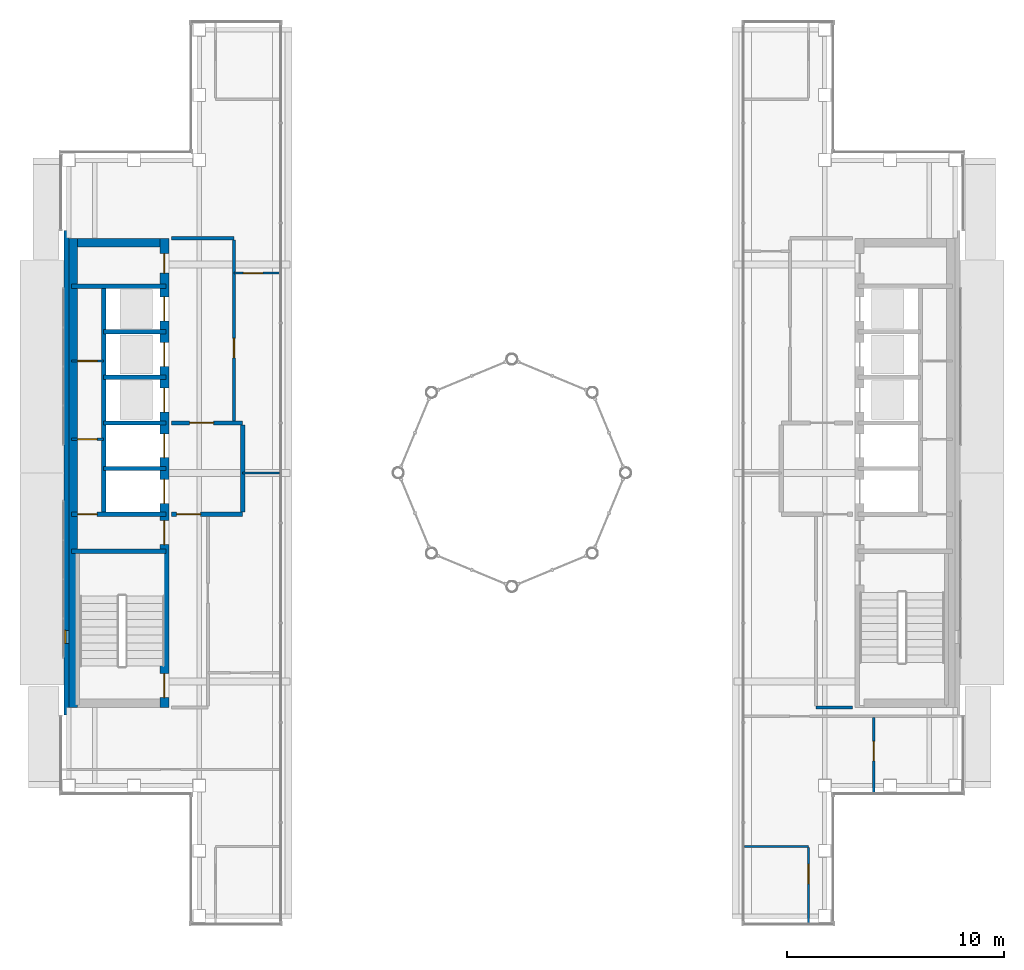
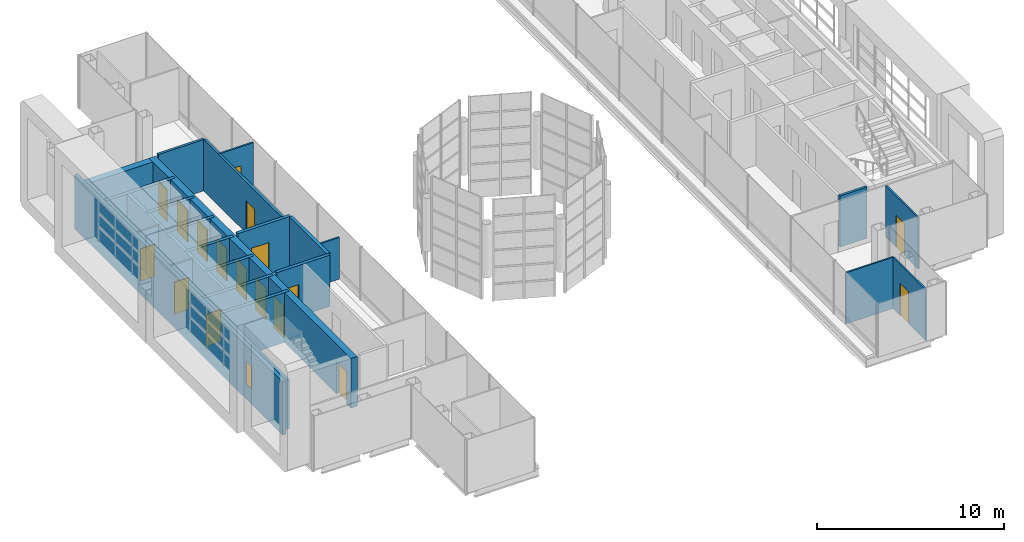
# One storey, part 13 of 21: 25 walls, 17 doors, 1 window, 18 openings.
"""IFC4 building model written with IfcOpenShell, lengths in metres."""

from ifc_helpers import new_model, si_unit, direction, frame, frame_2d, origin, place, context, subcontext, project, spatial, rectangle, extrude, material, layer, layer_set, type_object, element, fill, save


model = new_model("IFC4")

# Units and contexts
model_context = context("Model", 3, precision=1e-05, world=origin(), true_north=direction((0.0, 1.0)))
body_context = subcontext(model_context, "Body", "Model", "MODEL_VIEW")
ifc_project = project(units=[si_unit("LENGTHUNIT", "METRE"), si_unit("AREAUNIT", "SQUARE_METRE"), si_unit("VOLUMEUNIT", "CUBIC_METRE"), si_unit("PLANEANGLEUNIT", "RADIAN"), si_unit("MASSUNIT", "GRAM", prefix="KILO")], contexts=[model_context])

# Site, building, storey
site_placement = place(None, origin())
site = spatial("IfcSite", under=ifc_project, at=site_placement, CompositionType="ELEMENT")
building_placement = place(site_placement, origin())
building = spatial("IfcBuilding", under=site, at=building_placement, Name="Cobrizo Arcos Hotel Tower", CompositionType="ELEMENT")
storey_placement = place(building_placement, frame((0.0, 0.0, 283.0)))
storey = spatial("IfcBuildingStorey", under=building, at=storey_placement, Name="L75", CompositionType="ELEMENT", Elevation=283.0)

# Walls
ifc_material_1 = material(Name="Gypsum board partition")
ifc_layer_1 = layer(ifc_material_1, 0.14990234375)
ifc_layer_set_1 = layer_set([ifc_layer_1], Name="Corridor wall EI 60 150")
wall_type_1 = type_object("IfcWallType", Name="Corridor wall EI 60 150", PredefinedType="PARTITIONING", material=ifc_layer_set_1)
wall_1_placement = place(storey_placement, frame((14.0, -10.800048828125, 0.0), z_axis=(0.0, 0.0, 1.0), x_axis=(1.0, 0.0, 0.0)))
element("IfcWall", 1, at=wall_1_placement, inside=storey, type_object=wall_type_1, Name="Partition 006", PredefinedType="PARTITIONING", context=body_context, shape_type="SweptSolid", body=[
    extrude(rectangle(XDim=1.679931640625, YDim=0.14990234375, at=frame_2d((0.83984375, 0.0))), origin(), (0.0, 0.0, 1.0), 3.35009765625),
])
wall_2_placement = place(storey_placement, frame((-15.679931640625, 10.800048828125, 0.0), z_axis=(0.0, 0.0, 1.0), x_axis=(1.0, 0.0, 0.0)))
element("IfcWall", 2, at=wall_2_placement, inside=storey, type_object=wall_type_1, Name="Partition 034", PredefinedType="PARTITIONING", context=body_context, shape_type="SweptSolid", body=[
    extrude(rectangle(XDim=2.8798828125, YDim=0.14990234375, at=frame_2d((1.43994140625, 0.0))), origin(), (0.0, 0.0, 1.0), 3.35009765625),
])

# Wall, opening, door
wall_3_placement = place(storey_placement, frame((-12.800048828125, 2.39990234375, 0.0), z_axis=(0.0, 0.0, 1.0), x_axis=(0.0, 1.0, 0.0)))
wall_3 = element("IfcWall", 3, at=wall_3_placement, inside=storey, type_object=wall_type_1, Name="Partition 043", PredefinedType="PARTITIONING", context=body_context, shape_type="SweptSolid", body=[
    extrude(rectangle(XDim=8.3251953125, YDim=0.14990234375, at=frame_2d((4.16259765625, 0.0))), origin(), (0.0, 0.0, 1.0), 3.35009765625),
])
opening_1_placement = place(wall_3_placement, frame((2.889892578125, 0.0, 0.0)))
opening_1 = element("IfcOpeningElement", 4, at=opening_1_placement, cuts=wall_3, Name="Opening RD-12", PredefinedType="OPENING", context=body_context, shape_type="SweptSolid", body=[
    extrude(rectangle(XDim=0.89990234375, YDim=2.10009765625, at=frame_2d((0.449951171875, 1.050048828125))), frame((0.0, 0.0869140625, 0.0), z_axis=(0.0, -1.0, 0.0), x_axis=(1.0, 0.0, 0.0)), (0.0, 0.0, 1.0), 0.173828125),
])
ifc_material_2 = material(Name="Timber door leaf", Category="wood")
door_type_1 = type_object("IfcDoorType", Name="Room door FD30 900x2100", OperationType="SINGLE_SWING_LEFT", PredefinedType="DOOR", material=ifc_material_2)
door_1_placement = place(opening_1_placement, origin())
door_1 = element("IfcDoor", 5, at=door_1_placement, inside=storey, type_object=door_type_1, Name="Door RD-12", OperationType="SINGLE_SWING_LEFT", OverallHeight=2.10009765625, OverallWidth=0.89990234375, PredefinedType="DOOR", context=body_context, shape_type="SweptSolid", body=[
    extrude(rectangle(XDim=0.89990234375, YDim=2.10009765625, at=frame_2d((0.449951171875, 1.050048828125))), frame((0.0, 0.02490234375, 0.0), z_axis=(0.0, -1.0, 0.0), x_axis=(1.0, 0.0, 0.0)), (0.0, 0.0, 1.0), 0.050048828125),
])
fill(opening_1, door_1)

# Wall, opening, window
ifc_material_3 = material(Name="Aluminium composite panel pale metal", Category="aluminium")
ifc_layer_2 = layer(ifc_material_3, 0.22509765625)
ifc_layer_set_2 = layer_set([ifc_layer_2], Name="EW-1 insulated panel wall 225")
wall_type_2 = type_object("IfcWallType", Name="EW-1 insulated panel wall 225", PredefinedType="SOLIDWALL", material=ifc_layer_set_2)
wall_4_placement = place(storey_placement, frame((-20.512451171875, 11.14990234375, 0.0), z_axis=(0.0, 0.0, 1.0), x_axis=(0.0, -1.0, 0.0)))
wall_4 = element("IfcWall", 6, at=wall_4_placement, inside=storey, type_object=wall_type_2, Name="Core face wall L75 W", PredefinedType="SOLIDWALL", context=body_context, shape_type="SweptSolid", body=[
    extrude(rectangle(XDim=22.2998046875, YDim=0.22509765625, at=frame_2d((11.14990234375, 0.0))), origin(), (0.0, 0.0, 1.0), 3.5),
])
opening_2_placement = place(wall_4_placement, frame((18.39990234375, 0.0, 1.0)))
opening_2 = element("IfcOpeningElement", 7, at=opening_2_placement, cuts=wall_4, Name="Opening W-170", PredefinedType="OPENING", context=body_context, shape_type="SweptSolid", body=[
    extrude(rectangle(XDim=0.60009765625, YDim=1.5, at=frame_2d((0.300048828125, 0.75))), frame((0.0, 0.12451171875, 0.0), z_axis=(0.0, -1.0, 0.0), x_axis=(1.0, 0.0, 0.0)), (0.0, 0.0, 1.0), 0.2490234375),
])
ifc_material_4 = material(Name="Aluminium 6063-T6 and clear laminated glass", Category="aluminium")
window_type = type_object("IfcWindowType", Name="W-C1 core stair slot window 600x1500", PartitioningType="SINGLE_PANEL", PredefinedType="WINDOW", material=ifc_material_4)
window_placement = place(opening_2_placement, origin())
window = element("IfcWindow", 8, at=window_placement, inside=storey, type_object=window_type, Name="Core face wall L75 W window W-170", OverallHeight=1.5, OverallWidth=0.60009765625, PartitioningType="SINGLE_PANEL", PredefinedType="WINDOW", context=body_context, shape_type="SweptSolid", body=[
    extrude(rectangle(XDim=0.60009765625, YDim=1.5, at=frame_2d((0.300048828125, 0.75))), frame((0.0, -0.0224609375, 0.0), z_axis=(0.0, -1.0, 0.0), x_axis=(1.0, 0.0, 0.0)), (0.0, 0.0, 1.0), 0.06005859375),
])
fill(opening_2, window)

# Walls
ifc_layer_3 = layer(ifc_material_1, 0.10009765625)
ifc_layer_set_3 = layer_set([ifc_layer_3], Name="Partition EI 30 100")
wall_type_3 = type_object("IfcWallType", Name="Partition EI 30 100", PredefinedType="PARTITIONING", material=ifc_layer_set_3)
wall_5_placement = place(storey_placement, frame((10.696044921875, -17.199951171875, 0.0), z_axis=(0.0, 0.0, 1.0), x_axis=(1.0, 0.0, 0.0)))
element("IfcWall", 9, at=wall_5_placement, inside=storey, type_object=wall_type_3, Name="Partition 002", PredefinedType="PARTITIONING", context=body_context, shape_type="SweptSolid", body=[
    extrude(rectangle(XDim=2.953857421875, YDim=0.10009765625, at=frame_2d((1.47705078125, 0.0))), origin(), (0.0, 0.0, 1.0), 3.35009765625),
])
wall_6_placement = place(storey_placement, frame((-12.39990234375, 0.0, 0.0), z_axis=(0.0, 0.0, 1.0), x_axis=(1.0, 0.0, 0.0)))
element("IfcWall", 10, at=wall_6_placement, inside=storey, type_object=wall_type_3, Name="Partition 014", PredefinedType="PARTITIONING", context=body_context, shape_type="SweptSolid", body=[
    extrude(rectangle(XDim=1.703857421875, YDim=0.10009765625, at=frame_2d((0.85205078125, 0.0))), origin(), (0.0, 0.0, 1.0), 2.72802734375),
])

# Wall, opening, door
wall_7_placement = place(storey_placement, frame((-20.280029296875, 1.550048828125, 0.0), z_axis=(0.0, 0.0, 1.0), x_axis=(1.0, 0.0, 0.0)))
wall_7 = element("IfcWall", 11, at=wall_7_placement, inside=storey, type_object=wall_type_3, Name="Partition 018", PredefinedType="PARTITIONING", context=body_context, shape_type="SweptSolid", body=[
    extrude(rectangle(XDim=1.47998046875, YDim=0.10009765625, at=frame_2d((0.739990234375, 0.0))), origin(), (0.0, 0.0, 1.0), 3.25),
])
opening_3_placement = place(wall_7_placement, frame((0.280029296875, 0.0, 0.0)))
opening_3 = element("IfcOpeningElement", 12, at=opening_3_placement, cuts=wall_7, Name="Opening RD-02", PredefinedType="OPENING", context=body_context, shape_type="SweptSolid", body=[
    extrude(rectangle(XDim=0.89990234375, YDim=2.10009765625, at=frame_2d((0.449951171875, 1.050048828125))), frame((0.0, 0.06201171875, 0.0), z_axis=(0.0, -1.0, 0.0), x_axis=(1.0, 0.0, 0.0)), (0.0, 0.0, 1.0), 0.1240234375),
])
door_2_placement = place(opening_3_placement, origin())
door_2 = element("IfcDoor", 13, at=door_2_placement, inside=storey, type_object=door_type_1, Name="Door RD-02", OperationType="SINGLE_SWING_LEFT", OverallHeight=2.10009765625, OverallWidth=0.89990234375, PredefinedType="DOOR", context=body_context, shape_type="SweptSolid", body=[
    extrude(rectangle(XDim=0.89990234375, YDim=2.10009765625, at=frame_2d((0.449951171875, 1.050048828125))), frame((0.0, 0.02490234375, 0.0), z_axis=(0.0, -1.0, 0.0), x_axis=(1.0, 0.0, 0.0)), (0.0, 0.0, 1.0), 0.050048828125),
])
fill(opening_3, door_2)

wall_8_placement = place(storey_placement, frame((-20.280029296875, 5.14990234375, 0.0), z_axis=(0.0, 0.0, 1.0), x_axis=(1.0, 0.0, 0.0)))
wall_8 = element("IfcWall", 14, at=wall_8_placement, inside=storey, type_object=wall_type_3, Name="Partition 026", PredefinedType="PARTITIONING", context=body_context, shape_type="SweptSolid", body=[
    extrude(rectangle(XDim=1.47998046875, YDim=0.10009765625, at=frame_2d((0.739990234375, 0.0))), origin(), (0.0, 0.0, 1.0), 3.25),
])
opening_4_placement = place(wall_8_placement, frame((0.280029296875, 0.0, 0.0)))
opening_4 = element("IfcOpeningElement", 15, at=opening_4_placement, cuts=wall_8, Name="Opening RD-03", PredefinedType="OPENING", context=body_context, shape_type="SweptSolid", body=[
    extrude(rectangle(XDim=0.89990234375, YDim=2.10009765625, at=frame_2d((0.449951171875, 1.050048828125))), frame((0.0, 0.06201171875, 0.0), z_axis=(0.0, -1.0, 0.0), x_axis=(1.0, 0.0, 0.0)), (0.0, 0.0, 1.0), 0.1240234375),
])
door_3_placement = place(opening_4_placement, origin())
door_3 = element("IfcDoor", 16, at=door_3_placement, inside=storey, type_object=door_type_1, Name="Door RD-03", OperationType="SINGLE_SWING_RIGHT", OverallHeight=2.10009765625, OverallWidth=0.89990234375, PredefinedType="DOOR", context=body_context, shape_type="SweptSolid", body=[
    extrude(rectangle(XDim=0.89990234375, YDim=2.10009765625, at=frame_2d((0.449951171875, 1.050048828125))), frame((0.0, 0.02490234375, 0.0), z_axis=(0.0, -1.0, 0.0), x_axis=(1.0, 0.0, 0.0)), (0.0, 0.0, 1.0), 0.050048828125),
])
fill(opening_4, door_3)

wall_9_placement = place(storey_placement, frame((-12.800048828125, 9.199951171875, 0.0), z_axis=(0.0, 0.0, 1.0), x_axis=(1.0, 0.0, 0.0)))
wall_9 = element("IfcWall", 17, at=wall_9_placement, inside=storey, type_object=wall_type_3, Name="Partition 032", PredefinedType="PARTITIONING", context=body_context, shape_type="SweptSolid", body=[
    extrude(rectangle(XDim=2.10400390625, YDim=0.10009765625, at=frame_2d((1.052001953125, 0.0))), origin(), (0.0, 0.0, 1.0), 3.35009765625),
])
opening_5_placement = place(wall_9_placement, frame((0.43701171875, 0.0, 0.0)))
opening_5 = element("IfcOpeningElement", 18, at=opening_5_placement, cuts=wall_9, Name="Opening RD-13", PredefinedType="OPENING", context=body_context, shape_type="SweptSolid", body=[
    extrude(rectangle(XDim=0.89990234375, YDim=2.10009765625, at=frame_2d((0.449951171875, 1.050048828125))), frame((0.0, 0.06201171875, 0.0), z_axis=(0.0, -1.0, 0.0), x_axis=(1.0, 0.0, 0.0)), (0.0, 0.0, 1.0), 0.1240234375),
])
door_4_placement = place(opening_5_placement, origin())
door_4 = element("IfcDoor", 19, at=door_4_placement, inside=storey, type_object=door_type_1, Name="Door RD-13", OperationType="SINGLE_SWING_LEFT", OverallHeight=2.10009765625, OverallWidth=0.89990234375, PredefinedType="DOOR", context=body_context, shape_type="SweptSolid", body=[
    extrude(rectangle(XDim=0.89990234375, YDim=2.10009765625, at=frame_2d((0.449951171875, 1.050048828125))), frame((0.0, 0.02490234375, 0.0), z_axis=(0.0, -1.0, 0.0), x_axis=(1.0, 0.0, 0.0)), (0.0, 0.0, 1.0), 0.050048828125),
])
fill(opening_5, door_4)

wall_10_placement = place(storey_placement, frame((13.64990234375, -20.72998046875, 0.0), z_axis=(0.0, 0.0, 1.0), x_axis=(0.0, 1.0, 0.0)))
wall_10 = element("IfcWall", 20, at=wall_10_placement, inside=storey, type_object=wall_type_3, Name="Partition 047", PredefinedType="PARTITIONING", context=body_context, shape_type="SweptSolid", body=[
    extrude(rectangle(XDim=3.47998046875, YDim=0.10009765625, at=frame_2d((1.739990234375, 0.0))), origin(), (0.0, 0.0, 1.0), 3.35009765625),
])
opening_6_placement = place(wall_10_placement, frame((1.820068359375, 0.0, 0.0)))
opening_6 = element("IfcOpeningElement", 21, at=opening_6_placement, cuts=wall_10, Name="Opening ED-04", PredefinedType="OPENING", context=body_context, shape_type="SweptSolid", body=[
    extrude(rectangle(XDim=0.89990234375, YDim=2.10009765625, at=frame_2d((0.449951171875, 1.050048828125))), frame((0.0, 0.06201171875, 0.0), z_axis=(0.0, -1.0, 0.0), x_axis=(1.0, 0.0, 0.0)), (0.0, 0.0, 1.0), 0.1240234375),
])
door_type_2 = type_object("IfcDoorType", Name="En-suite door 900x2100", OperationType="SINGLE_SWING_LEFT", PredefinedType="DOOR", material=ifc_material_2)
door_5_placement = place(opening_6_placement, origin())
door_5 = element("IfcDoor", 22, at=door_5_placement, inside=storey, type_object=door_type_2, Name="Door ED-04", OperationType="SINGLE_SWING_RIGHT", OverallHeight=2.10009765625, OverallWidth=0.89990234375, PredefinedType="DOOR", context=body_context, shape_type="SweptSolid", body=[
    extrude(rectangle(XDim=0.89990234375, YDim=2.10009765625, at=frame_2d((0.449951171875, 1.050048828125))), frame((0.0, 0.02490234375, 0.0), z_axis=(0.0, -1.0, 0.0), x_axis=(1.0, 0.0, 0.0)), (0.0, 0.0, 1.0), 0.050048828125),
])
fill(opening_6, door_5)

wall_11_placement = place(storey_placement, frame((16.64990234375, -14.72998046875, 0.0), z_axis=(0.0, 0.0, 1.0), x_axis=(0.0, 1.0, 0.0)))
wall_11 = element("IfcWall", 23, at=wall_11_placement, inside=storey, type_object=wall_type_3, Name="Partition 050", PredefinedType="PARTITIONING", context=body_context, shape_type="SweptSolid", body=[
    extrude(rectangle(XDim=3.47998046875, YDim=0.10009765625, at=frame_2d((1.739990234375, 0.0))), origin(), (0.0, 0.0, 1.0), 3.35009765625),
])
opening_7_placement = place(wall_11_placement, frame((1.469970703125, 0.0, 0.0)))
opening_7 = element("IfcOpeningElement", 24, at=opening_7_placement, cuts=wall_11, Name="Opening RD-11", PredefinedType="OPENING", context=body_context, shape_type="SweptSolid", body=[
    extrude(rectangle(XDim=0.89990234375, YDim=2.10009765625, at=frame_2d((0.449951171875, 1.050048828125))), frame((0.0, 0.06201171875, 0.0), z_axis=(0.0, -1.0, 0.0), x_axis=(1.0, 0.0, 0.0)), (0.0, 0.0, 1.0), 0.1240234375),
])
door_6_placement = place(opening_7_placement, origin())
door_6 = element("IfcDoor", 25, at=door_6_placement, inside=storey, type_object=door_type_1, Name="Door RD-11", OperationType="SINGLE_SWING_RIGHT", OverallHeight=2.10009765625, OverallWidth=0.89990234375, PredefinedType="DOOR", context=body_context, shape_type="SweptSolid", body=[
    extrude(rectangle(XDim=0.89990234375, YDim=2.10009765625, at=frame_2d((0.449951171875, 1.050048828125))), frame((0.0, 0.02490234375, 0.0), z_axis=(0.0, -1.0, 0.0), x_axis=(1.0, 0.0, 0.0)), (0.0, 0.0, 1.0), 0.050048828125),
])
fill(opening_7, door_6)

# Wall, openings, doors
ifc_material_5 = material(Name="Concrete f'c 40 MPa", Category="concrete")
ifc_layer_4 = layer(ifc_material_5, 0.39990234375)
ifc_layer_set_4 = layer_set([ifc_layer_4], Name="RC core wall 400 f'c 40")
wall_type_4 = type_object("IfcWallType", Name="RC core wall 400 f'c 40", PredefinedType="SHEAR", material=ifc_layer_set_4)
wall_12_placement = place(storey_placement, frame((-16.0, -10.800048828125, 0.0), z_axis=(0.0, 0.0, 1.0), x_axis=(0.0, 1.0, 0.0)))
wall_12 = element("IfcWall", 26, at=wall_12_placement, inside=storey, type_object=wall_type_4, Name="Core wall CW4, west core, inner face, L75", PredefinedType="SHEAR", context=body_context, shape_type="SweptSolid", body=[
    extrude(rectangle(XDim=21.60009765625, YDim=0.39990234375, at=frame_2d((10.800048828125, 0.0))), origin(), (0.0, 0.0, 1.0), 3.25),
])
opening_8_placement = place(wall_12_placement, frame((9.39990234375, 0.0, 0.0)))
opening_8 = element("IfcOpeningElement", 27, at=opening_8_placement, cuts=wall_12, Name="Opening LD-01", PredefinedType="OPENING", context=body_context, shape_type="SweptSolid", body=[
    extrude(rectangle(XDim=1.10009765625, YDim=2.10009765625, at=frame_2d((0.550048828125, 1.050048828125))), frame((0.0, 0.2119140625, 0.0), z_axis=(0.0, -1.0, 0.0), x_axis=(1.0, 0.0, 0.0)), (0.0, 0.0, 1.0), 0.423828125),
])
opening_9_placement = place(wall_12_placement, frame((11.5, 0.0, 0.0)))
opening_9 = element("IfcOpeningElement", 28, at=opening_9_placement, cuts=wall_12, Name="Opening LD-02", PredefinedType="OPENING", context=body_context, shape_type="SweptSolid", body=[
    extrude(rectangle(XDim=1.10009765625, YDim=2.10009765625, at=frame_2d((0.550048828125, 1.050048828125))), frame((0.0, 0.2119140625, 0.0), z_axis=(0.0, -1.0, 0.0), x_axis=(1.0, 0.0, 0.0)), (0.0, 0.0, 1.0), 0.423828125),
])
opening_10_placement = place(wall_12_placement, frame((13.60009765625, 0.0, 0.0)))
opening_10 = element("IfcOpeningElement", 29, at=opening_10_placement, cuts=wall_12, Name="Opening LD-03", PredefinedType="OPENING", context=body_context, shape_type="SweptSolid", body=[
    extrude(rectangle(XDim=1.10009765625, YDim=2.10009765625, at=frame_2d((0.550048828125, 1.050048828125))), frame((0.0, 0.2119140625, 0.0), z_axis=(0.0, -1.0, 0.0), x_axis=(1.0, 0.0, 0.0)), (0.0, 0.0, 1.0), 0.423828125),
])
opening_11_placement = place(wall_12_placement, frame((15.699951171875, 0.0, 0.0)))
opening_11 = element("IfcOpeningElement", 30, at=opening_11_placement, cuts=wall_12, Name="Opening LD-04", PredefinedType="OPENING", context=body_context, shape_type="SweptSolid", body=[
    extrude(rectangle(XDim=1.10009765625, YDim=2.10009765625, at=frame_2d((0.550048828125, 1.050048828125))), frame((0.0, 0.2119140625, 0.0), z_axis=(0.0, -1.0, 0.0), x_axis=(1.0, 0.0, 0.0)), (0.0, 0.0, 1.0), 0.423828125),
])
opening_12_placement = place(wall_12_placement, frame((17.800048828125, 0.0, 0.0)))
opening_12 = element("IfcOpeningElement", 31, at=opening_12_placement, cuts=wall_12, Name="Opening LD-05", PredefinedType="OPENING", context=body_context, shape_type="SweptSolid", body=[
    extrude(rectangle(XDim=1.10009765625, YDim=2.10009765625, at=frame_2d((0.550048828125, 1.050048828125))), frame((0.0, 0.2119140625, 0.0), z_axis=(0.0, -1.0, 0.0), x_axis=(1.0, 0.0, 0.0)), (0.0, 0.0, 1.0), 0.423828125),
])
opening_13_placement = place(wall_12_placement, frame((0.4580078125, 0.0, 0.0)))
opening_13 = element("IfcOpeningElement", 32, at=opening_13_placement, cuts=wall_12, Name="Opening SD-01", PredefinedType="OPENING", context=body_context, shape_type="SweptSolid", body=[
    extrude(rectangle(XDim=1.10009765625, YDim=2.10009765625, at=frame_2d((0.550048828125, 1.050048828125))), frame((0.0, 0.2119140625, 0.0), z_axis=(0.0, -1.0, 0.0), x_axis=(1.0, 0.0, 0.0)), (0.0, 0.0, 1.0), 0.423828125),
])
opening_14_placement = place(wall_12_placement, frame((7.5, 0.0, 0.0)))
opening_14 = element("IfcOpeningElement", 33, at=opening_14_placement, cuts=wall_12, Name="Opening FD-01", PredefinedType="OPENING", context=body_context, shape_type="SweptSolid", body=[
    extrude(rectangle(XDim=1.10009765625, YDim=2.10009765625, at=frame_2d((0.550048828125, 1.050048828125))), frame((0.0, 0.2119140625, 0.0), z_axis=(0.0, -1.0, 0.0), x_axis=(1.0, 0.0, 0.0)), (0.0, 0.0, 1.0), 0.423828125),
])
opening_15_placement = place(wall_12_placement, frame((20.0, 0.0, 0.0)))
opening_15 = element("IfcOpeningElement", 34, at=opening_15_placement, cuts=wall_12, Name="Opening ED-01", PredefinedType="OPENING", context=body_context, shape_type="SweptSolid", body=[
    extrude(rectangle(XDim=0.89990234375, YDim=2.10009765625, at=frame_2d((0.449951171875, 1.050048828125))), frame((0.0, 0.2119140625, 0.0), z_axis=(0.0, -1.0, 0.0), x_axis=(1.0, 0.0, 0.0)), (0.0, 0.0, 1.0), 0.423828125),
])
door_7_placement = place(opening_15_placement, origin())
door_7 = element("IfcDoor", 35, at=door_7_placement, inside=storey, type_object=door_type_2, Name="Door ED-01", OperationType="SINGLE_SWING_RIGHT", OverallHeight=2.10009765625, OverallWidth=0.89990234375, PredefinedType="DOOR", context=body_context, shape_type="SweptSolid", body=[
    extrude(rectangle(XDim=0.89990234375, YDim=2.10009765625, at=frame_2d((0.449951171875, 1.050048828125))), frame((0.0, 0.02490234375, 0.0), z_axis=(0.0, -1.0, 0.0), x_axis=(1.0, 0.0, 0.0)), (0.0, 0.0, 1.0), 0.050048828125),
])
fill(opening_15, door_7)
ifc_material_6 = material(Name="Steel door leaf", Category="steel")
door_type_3 = type_object("IfcDoorType", Name="Fire door FD60 1100x2100", OperationType="SINGLE_SWING_LEFT", PredefinedType="DOOR", material=ifc_material_6)
door_8_placement = place(opening_14_placement, origin())
door_8 = element("IfcDoor", 36, at=door_8_placement, inside=storey, type_object=door_type_3, Name="Door FD-01", OperationType="SINGLE_SWING_RIGHT", OverallHeight=2.10009765625, OverallWidth=1.10009765625, PredefinedType="DOOR", context=body_context, shape_type="SweptSolid", body=[
    extrude(rectangle(XDim=1.10009765625, YDim=2.10009765625, at=frame_2d((0.550048828125, 1.050048828125))), frame((0.0, 0.02490234375, 0.0), z_axis=(0.0, -1.0, 0.0), x_axis=(1.0, 0.0, 0.0)), (0.0, 0.0, 1.0), 0.050048828125),
])
fill(opening_14, door_8)
door_type_4 = type_object("IfcDoorType", Name="Lift landing door 1100x2100", OperationType="SLIDING_TO_LEFT", PredefinedType="DOOR", material=ifc_material_6)
door_9_placement = place(opening_8_placement, origin())
door_9 = element("IfcDoor", 37, at=door_9_placement, inside=storey, type_object=door_type_4, Name="Lift landing door LD-01", OperationType="SLIDING_TO_LEFT", OverallHeight=2.10009765625, OverallWidth=1.10009765625, PredefinedType="DOOR", context=body_context, shape_type="SweptSolid", body=[
    extrude(rectangle(XDim=1.10009765625, YDim=2.10009765625, at=frame_2d((0.550048828125, 1.050048828125))), frame((0.0, 0.02490234375, 0.0), z_axis=(0.0, -1.0, 0.0), x_axis=(1.0, 0.0, 0.0)), (0.0, 0.0, 1.0), 0.050048828125),
])
fill(opening_8, door_9)
door_10_placement = place(opening_9_placement, origin())
door_10 = element("IfcDoor", 38, at=door_10_placement, inside=storey, type_object=door_type_4, Name="Lift landing door LD-02", OperationType="SLIDING_TO_LEFT", OverallHeight=2.10009765625, OverallWidth=1.10009765625, PredefinedType="DOOR", context=body_context, shape_type="SweptSolid", body=[
    extrude(rectangle(XDim=1.10009765625, YDim=2.10009765625, at=frame_2d((0.550048828125, 1.050048828125))), frame((0.0, 0.02490234375, 0.0), z_axis=(0.0, -1.0, 0.0), x_axis=(1.0, 0.0, 0.0)), (0.0, 0.0, 1.0), 0.050048828125),
])
fill(opening_9, door_10)
door_11_placement = place(opening_10_placement, origin())
door_11 = element("IfcDoor", 39, at=door_11_placement, inside=storey, type_object=door_type_4, Name="Lift landing door LD-03", OperationType="SLIDING_TO_LEFT", OverallHeight=2.10009765625, OverallWidth=1.10009765625, PredefinedType="DOOR", context=body_context, shape_type="SweptSolid", body=[
    extrude(rectangle(XDim=1.10009765625, YDim=2.10009765625, at=frame_2d((0.550048828125, 1.050048828125))), frame((0.0, 0.02490234375, 0.0), z_axis=(0.0, -1.0, 0.0), x_axis=(1.0, 0.0, 0.0)), (0.0, 0.0, 1.0), 0.050048828125),
])
fill(opening_10, door_11)
door_12_placement = place(opening_11_placement, origin())
door_12 = element("IfcDoor", 40, at=door_12_placement, inside=storey, type_object=door_type_4, Name="Lift landing door LD-04", OperationType="SLIDING_TO_LEFT", OverallHeight=2.10009765625, OverallWidth=1.10009765625, PredefinedType="DOOR", context=body_context, shape_type="SweptSolid", body=[
    extrude(rectangle(XDim=1.10009765625, YDim=2.10009765625, at=frame_2d((0.550048828125, 1.050048828125))), frame((0.0, 0.02490234375, 0.0), z_axis=(0.0, -1.0, 0.0), x_axis=(1.0, 0.0, 0.0)), (0.0, 0.0, 1.0), 0.050048828125),
])
fill(opening_11, door_12)
door_13_placement = place(opening_12_placement, origin())
door_13 = element("IfcDoor", 41, at=door_13_placement, inside=storey, type_object=door_type_4, Name="Lift landing door LD-05", OperationType="SLIDING_TO_LEFT", OverallHeight=2.10009765625, OverallWidth=1.10009765625, PredefinedType="DOOR", context=body_context, shape_type="SweptSolid", body=[
    extrude(rectangle(XDim=1.10009765625, YDim=2.10009765625, at=frame_2d((0.550048828125, 1.050048828125))), frame((0.0, 0.02490234375, 0.0), z_axis=(0.0, -1.0, 0.0), x_axis=(1.0, 0.0, 0.0)), (0.0, 0.0, 1.0), 0.050048828125),
])
fill(opening_12, door_13)
door_type_5 = type_object("IfcDoorType", Name="Stair door FD60S 1100x2100", OperationType="SINGLE_SWING_LEFT", PredefinedType="DOOR", material=ifc_material_6)
door_14_placement = place(opening_13_placement, origin())
door_14 = element("IfcDoor", 42, at=door_14_placement, inside=storey, type_object=door_type_5, Name="Door SD-01", OperationType="SINGLE_SWING_LEFT", OverallHeight=2.10009765625, OverallWidth=1.10009765625, PredefinedType="DOOR", context=body_context, shape_type="SweptSolid", body=[
    extrude(rectangle(XDim=1.10009765625, YDim=2.10009765625, at=frame_2d((0.550048828125, 1.050048828125))), frame((0.0, 0.02490234375, 0.0), z_axis=(0.0, -1.0, 0.0), x_axis=(1.0, 0.0, 0.0)), (0.0, 0.0, 1.0), 0.050048828125),
])
fill(opening_13, door_14)

# Walls
wall_13_placement = place(storey_placement, frame((-20.199951171875, -10.800048828125, 0.0), z_axis=(0.0, 0.0, 1.0), x_axis=(0.0, 1.0, 0.0)))
element("IfcWall", 43, at=wall_13_placement, inside=storey, type_object=wall_type_4, Name="Core wall CW4, west core, outer face, L75", PredefinedType="SHEAR", context=body_context, shape_type="SweptSolid", body=[
    extrude(rectangle(XDim=21.60009765625, YDim=0.39990234375, at=frame_2d((10.800048828125, 0.0))), origin(), (0.0, 0.0, 1.0), 3.25),
])
wall_14_placement = place(storey_placement, frame((-20.0, 10.60009765625, 0.0), z_axis=(0.0, 0.0, 1.0), x_axis=(1.0, 0.0, 0.0)))
element("IfcWall", 44, at=wall_14_placement, inside=storey, type_object=wall_type_4, Name="Core wall CW4, west core, north end, L75", PredefinedType="SHEAR", context=body_context, shape_type="SweptSolid", body=[
    extrude(rectangle(XDim=3.800048828125, YDim=0.39990234375, at=frame_2d((1.89990234375, 0.0))), origin(), (0.0, 0.0, 1.0), 3.25),
])

# Wall, opening, door
ifc_layer_5 = layer(ifc_material_1, 0.199951171875)
ifc_layer_set_5 = layer_set([ifc_layer_5], Name="Shaft wall EI 120 200")
wall_type_5 = type_object("IfcWallType", Name="Shaft wall EI 120 200", PredefinedType="PARTITIONING", material=ifc_layer_set_5)
wall_15_placement = place(storey_placement, frame((-20.280029296875, -1.89990234375, 0.0), z_axis=(0.0, 0.0, 1.0), x_axis=(1.0, 0.0, 0.0)))
wall_15 = element("IfcWall", 45, at=wall_15_placement, inside=storey, type_object=wall_type_5, Name="Partition 010", PredefinedType="PARTITIONING", context=body_context, shape_type="SweptSolid", body=[
    extrude(rectangle(XDim=4.360107421875, YDim=0.199951171875, at=frame_2d((2.18017578125, 0.0))), origin(), (0.0, 0.0, 1.0), 3.25),
])
opening_16_placement = place(wall_15_placement, frame((0.280029296875, 0.0, 0.0)))
opening_16 = element("IfcOpeningElement", 46, at=opening_16_placement, cuts=wall_15, Name="Opening RD-01", PredefinedType="OPENING", context=body_context, shape_type="SweptSolid", body=[
    extrude(rectangle(XDim=0.89990234375, YDim=2.10009765625, at=frame_2d((0.449951171875, 1.050048828125))), frame((0.0, 0.112060546875, 0.0), z_axis=(0.0, -1.0, 0.0), x_axis=(1.0, 0.0, 0.0)), (0.0, 0.0, 1.0), 0.223876953125),
])
door_15_placement = place(opening_16_placement, origin())
door_15 = element("IfcDoor", 47, at=door_15_placement, inside=storey, type_object=door_type_1, Name="Door RD-01", OperationType="SINGLE_SWING_RIGHT", OverallHeight=2.10009765625, OverallWidth=0.89990234375, PredefinedType="DOOR", context=body_context, shape_type="SweptSolid", body=[
    extrude(rectangle(XDim=0.89990234375, YDim=2.10009765625, at=frame_2d((0.449951171875, 1.050048828125))), frame((0.0, 0.02490234375, 0.0), z_axis=(0.0, -1.0, 0.0), x_axis=(1.0, 0.0, 0.0)), (0.0, 0.0, 1.0), 0.050048828125),
])
fill(opening_16, door_15)

wall_16_placement = place(storey_placement, frame((-15.679931640625, -1.89990234375, 0.0), z_axis=(0.0, 0.0, 1.0), x_axis=(1.0, 0.0, 0.0)))
wall_16 = element("IfcWall", 48, at=wall_16_placement, inside=storey, type_object=wall_type_5, Name="Partition 011", PredefinedType="PARTITIONING", context=body_context, shape_type="SweptSolid", body=[
    extrude(rectangle(XDim=3.280029296875, YDim=0.199951171875, at=frame_2d((1.64013671875, 0.0))), origin(), (0.0, 0.0, 1.0), 3.35009765625),
])
opening_17_placement = place(wall_16_placement, frame((0.239990234375, 0.0, 0.0)))
opening_17 = element("IfcOpeningElement", 49, at=opening_17_placement, cuts=wall_16, Name="Opening FD-03", PredefinedType="OPENING", context=body_context, shape_type="SweptSolid", body=[
    extrude(rectangle(XDim=1.10009765625, YDim=2.10009765625, at=frame_2d((0.550048828125, 1.050048828125))), frame((0.0, 0.112060546875, 0.0), z_axis=(0.0, -1.0, 0.0), x_axis=(1.0, 0.0, 0.0)), (0.0, 0.0, 1.0), 0.223876953125),
])
door_16_placement = place(opening_17_placement, origin())
door_16 = element("IfcDoor", 50, at=door_16_placement, inside=storey, type_object=door_type_3, Name="Door FD-03", OperationType="SINGLE_SWING_RIGHT", OverallHeight=2.10009765625, OverallWidth=1.10009765625, PredefinedType="DOOR", context=body_context, shape_type="SweptSolid", body=[
    extrude(rectangle(XDim=1.10009765625, YDim=2.10009765625, at=frame_2d((0.550048828125, 1.050048828125))), frame((0.0, 0.02490234375, 0.0), z_axis=(0.0, -1.0, 0.0), x_axis=(1.0, 0.0, 0.0)), (0.0, 0.0, 1.0), 0.050048828125),
])
fill(opening_17, door_16)

# Walls
for number, where, z_axis, x_axis, name in (
    (51, (-18.800048828125, 0.199951171875, 0.0), (0.0, 0.0, 1.0), (1.0, 0.0, 0.0), "Partition 016"),
    (52, (-18.800048828125, 2.300048828125, 0.0), (0.0, 0.0, 1.0), (1.0, 0.0, 0.0), "Partition 020"),
):
    element("IfcWall", number, at=place(storey_placement, frame(where, z_axis=z_axis, x_axis=x_axis)), inside=storey, type_object=wall_type_5, Name=name, PredefinedType="PARTITIONING", context=body_context, shape_type="SweptSolid", body=[
        extrude(rectangle(XDim=2.880126953125, YDim=0.199951171875, at=frame_2d((1.43994140625, 0.0))), origin(), (0.0, 0.0, 1.0), 3.25),
    ])

# Wall, opening, door
wall_17_placement = place(storey_placement, frame((-15.679931640625, 2.300048828125, 0.0), z_axis=(0.0, 0.0, 1.0), x_axis=(1.0, 0.0, 0.0)))
wall_17 = element("IfcWall", 53, at=wall_17_placement, inside=storey, type_object=wall_type_5, Name="Partition 021", PredefinedType="PARTITIONING", context=body_context, shape_type="SweptSolid", body=[
    extrude(rectangle(XDim=3.280029296875, YDim=0.199951171875, at=frame_2d((1.64013671875, 0.0))), origin(), (0.0, 0.0, 1.0), 3.35009765625),
])
opening_18_placement = place(wall_17_placement, frame((0.840087890625, 0.0, 0.0)))
opening_18 = element("IfcOpeningElement", 54, at=opening_18_placement, cuts=wall_17, Name="Opening FD-02", PredefinedType="OPENING", context=body_context, shape_type="SweptSolid", body=[
    extrude(rectangle(XDim=1.10009765625, YDim=2.10009765625, at=frame_2d((0.550048828125, 1.050048828125))), frame((0.0, 0.112060546875, 0.0), z_axis=(0.0, -1.0, 0.0), x_axis=(1.0, 0.0, 0.0)), (0.0, 0.0, 1.0), 0.223876953125),
])
door_17_placement = place(opening_18_placement, origin())
door_17 = element("IfcDoor", 55, at=door_17_placement, inside=storey, type_object=door_type_3, Name="Door FD-02", OperationType="SINGLE_SWING_LEFT", OverallHeight=2.10009765625, OverallWidth=1.10009765625, PredefinedType="DOOR", context=body_context, shape_type="SweptSolid", body=[
    extrude(rectangle(XDim=1.10009765625, YDim=2.10009765625, at=frame_2d((0.550048828125, 1.050048828125))), frame((0.0, 0.02490234375, 0.0), z_axis=(0.0, -1.0, 0.0), x_axis=(1.0, 0.0, 0.0)), (0.0, 0.0, 1.0), 0.050048828125),
])
fill(opening_18, door_17)

# Walls
for number, where, z_axis, x_axis, name in (
    (56, (-18.800048828125, 4.39990234375, 0.0), (0.0, 0.0, 1.0), (1.0, 0.0, 0.0), "Partition 024"),
    (57, (-18.800048828125, 6.5, 0.0), (0.0, 0.0, 1.0), (1.0, 0.0, 0.0), "Partition 028"),
):
    element("IfcWall", number, at=place(storey_placement, frame(where, z_axis=z_axis, x_axis=x_axis)), inside=storey, type_object=wall_type_5, Name=name, PredefinedType="PARTITIONING", context=body_context, shape_type="SweptSolid", body=[
        extrude(rectangle(XDim=2.880126953125, YDim=0.199951171875, at=frame_2d((1.43994140625, 0.0))), origin(), (0.0, 0.0, 1.0), 3.25),
    ])
wall_18_placement = place(storey_placement, frame((-20.280029296875, 8.60009765625, 0.0), z_axis=(0.0, 0.0, 1.0), x_axis=(1.0, 0.0, 0.0)))
element("IfcWall", 58, at=wall_18_placement, inside=storey, type_object=wall_type_5, Name="Partition 030", PredefinedType="PARTITIONING", context=body_context, shape_type="SweptSolid", body=[
    extrude(rectangle(XDim=4.360107421875, YDim=0.199951171875, at=frame_2d((2.18017578125, 0.0))), origin(), (0.0, 0.0, 1.0), 3.25),
])
wall_19_placement = place(storey_placement, frame((-18.800048828125, -1.800048828125, 0.0), z_axis=(0.0, 0.0, 1.0), x_axis=(0.0, 1.0, 0.0)))
element("IfcWall", 59, at=wall_19_placement, inside=storey, type_object=wall_type_5, Name="Partition 039", PredefinedType="PARTITIONING", context=body_context, shape_type="SweptSolid", body=[
    extrude(rectangle(XDim=10.300048828125, YDim=0.199951171875, at=frame_2d((5.14990234375, 0.0))), origin(), (0.0, 0.0, 1.0), 3.25),
])
wall_20_placement = place(storey_placement, frame((-12.39990234375, -1.800048828125, 0.0), z_axis=(0.0, 0.0, 1.0), x_axis=(0.0, 1.0, 0.0)))
element("IfcWall", 60, at=wall_20_placement, inside=storey, type_object=wall_type_5, Name="Partition 044", PredefinedType="PARTITIONING", context=body_context, shape_type="SweptSolid", body=[
    extrude(rectangle(XDim=4.0, YDim=0.199951171875, at=frame_2d((2.0, 0.0))), origin(), (0.0, 0.0, 1.0), 3.35009765625),
])
ifc_layer_6 = layer(ifc_material_5, 0.199951171875)
ifc_layer_set_6 = layer_set([ifc_layer_6], Name="Stair shaft wall 200")
wall_type_6 = type_object("IfcWallType", Name="Stair shaft wall 200", PredefinedType="SHEAR", material=ifc_layer_set_6)
wall_21_placement = place(storey_placement, frame((-20.280029296875, -3.60009765625, 0.0), z_axis=(0.0, 0.0, 1.0), x_axis=(1.0, 0.0, 0.0)))
element("IfcWall", 61, at=wall_21_placement, inside=storey, type_object=wall_type_6, Name="Stair shaft wall W", PredefinedType="SHEAR", context=body_context, shape_type="SweptSolid", body=[
    extrude(rectangle(XDim=4.360107421875, YDim=0.199951171875, at=frame_2d((2.18017578125, 0.0))), origin(), (0.0, 0.0, 1.0), 3.25),
])

save(model, "model.ifc")
